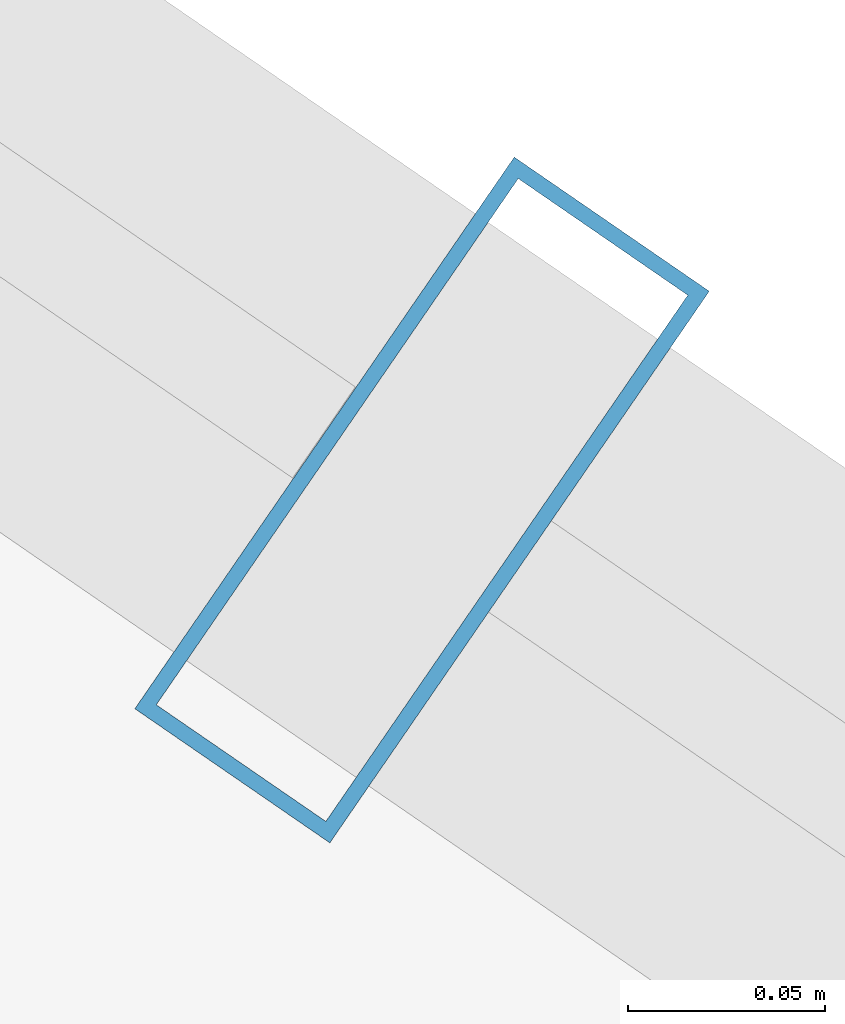
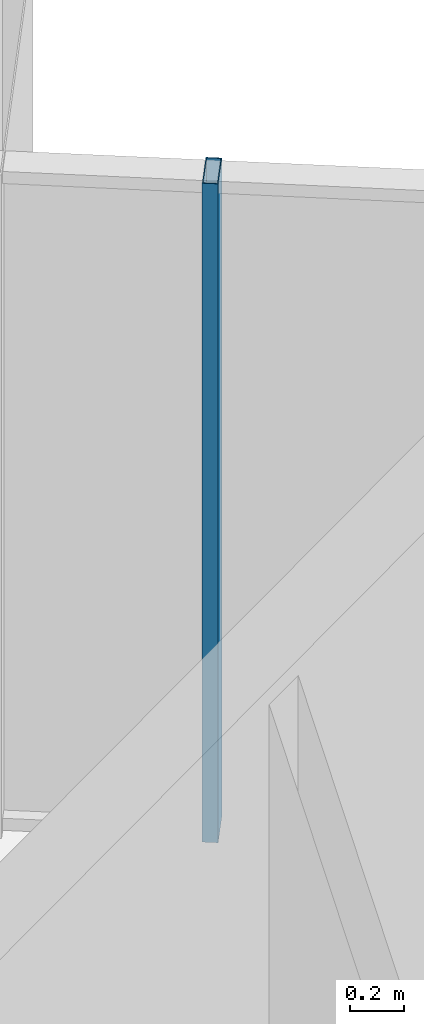
# One storey, part 24 of 30: 1 member, 1 element without a shape of its own.
"""IFC4 building model written with IfcOpenShell, lengths in metres."""

import ifcopenshell
import ifcopenshell.guid

model = None  # the IFC model being written
_history = None  # IfcOwnerHistory: only IFC2X3 demands one
_inside = {}  # id of a spatial element -> (the spatial element, [elements in it])
_under = {}  # id of a project, library or spatial element -> (it, [spatial elements below it])
_declared = {}  # id of a project -> (the project, [libraries it declares])
_typed = {}  # id of a type object -> (the type object, [elements of that type])
_made_of = {}  # id of a material, layer set ... -> (it, [elements and type objects made of it])


def new_model(schema):
    """Start an empty IFC model of exactly this schema.

    Asked for "IFC4X3", IfcOpenShell would pick the latest addendum, in which some entities
    have other attributes; the version numbers below select the first issue.
    IFC2X3 requires an IfcOwnerHistory on every rooted entity: one is made here for all.
    """
    global model, _history
    if schema == "IFC4X3":
        model = ifcopenshell.file(schema_version=(4, 3, 0, 0))
    else:
        model = ifcopenshell.file(schema=schema)
    _inside.clear()
    _under.clear()
    _declared.clear()
    _typed.clear()
    _made_of.clear()
    _history = None
    if model.schema == "IFC2X3":
        org = make("IfcOrganization", Name="unknown")
        user = make(
            "IfcPersonAndOrganization",
            ThePerson=make("IfcPerson", FamilyName="unknown"),
            TheOrganization=org,
        )
        app = make(
            "IfcApplication",
            ApplicationDeveloper=org,
            Version="unknown",
            ApplicationFullName="unknown",
            ApplicationIdentifier="unknown",
        )
        _history = make(
            "IfcOwnerHistory",
            OwningUser=user,
            OwningApplication=app,
            ChangeAction="ADDED",
            CreationDate=0,
        )
    return model


def make(cls, **values):
    """One entity of the class cls with the attributes given. An attribute that is None is left unset."""
    return model.create_entity(
        cls, **{name: value for name, value in values.items() if value is not None}
    )


def rooted(cls, **values):
    """An entity with a GlobalId (a new one), such as an element, a storey or a relation."""
    return make(cls, GlobalId=ifcopenshell.guid.new(), OwnerHistory=_history, **values)


def si_unit(unit_type, name, prefix=None):
    """IfcSIUnit, for example si_unit("LENGTHUNIT", "METRE", prefix="MILLI")."""
    return make("IfcSIUnit", UnitType=unit_type, Prefix=prefix, Name=name)


def assignment(units):
    """IfcUnitAssignment: the units of a project."""
    return None if units is None else make("IfcUnitAssignment", Units=units)


def point(xyz):
    """IfcCartesianPoint."""
    return None if xyz is None else make("IfcCartesianPoint", Coordinates=xyz)


def direction(xyz):
    """IfcDirection."""
    return None if xyz is None else make("IfcDirection", DirectionRatios=xyz)


def frame(location, z_axis=None, x_axis=None):
    """IfcAxis2Placement3D, a coordinate frame: its origin and axes. An axis left out is left unset."""
    return make(
        "IfcAxis2Placement3D",
        Location=point(location),
        Axis=direction(z_axis),
        RefDirection=direction(x_axis),
    )


def frame_2d(location, x_axis=None):
    """IfcAxis2Placement2D, a coordinate frame in the plane: its origin and x axis."""
    return make(
        "IfcAxis2Placement2D", Location=point(location), RefDirection=direction(x_axis)
    )


def origin():
    """The frame at (0, 0, 0) with its axes left unset."""
    return frame((0.0, 0.0, 0.0))


def origin_2d():
    """The frame at (0, 0) in the plane with its x axis left unset."""
    return frame_2d((0.0, 0.0))


def place(relative_to, where):
    """IfcLocalPlacement: puts the frame where relative to a parent placement (None: the world)."""
    return make(
        "IfcLocalPlacement", PlacementRelTo=relative_to, RelativePlacement=where
    )


def context(
    kind, dimensions, precision=None, world=None, true_north=None, identifier=None
):
    """IfcGeometricRepresentationContext, for example the 3D "Model" context."""
    return make(
        "IfcGeometricRepresentationContext",
        ContextIdentifier=identifier,
        ContextType=kind,
        CoordinateSpaceDimension=dimensions,
        Precision=precision,
        WorldCoordinateSystem=world,
        TrueNorth=true_north,
    )


def subcontext(parent, identifier, kind, view, scale=None):
    """IfcGeometricRepresentationSubContext, for example "Body" below "Model"."""
    return make(
        "IfcGeometricRepresentationSubContext",
        ContextIdentifier=identifier,
        ContextType=kind,
        ParentContext=parent,
        TargetScale=scale,
        TargetView=view,
    )


def project(units=None, contexts=None):
    """IfcProject with its units and contexts."""
    return rooted(
        "IfcProject",
        Name="project",
        RepresentationContexts=contexts,
        UnitsInContext=assignment(units),
    )


def spatial(cls, under=None, at=None, **own):
    """A site, building, storey or space (cls), placed at a placement, below another one or the project."""
    s = rooted(cls, ObjectPlacement=at, **own)
    if under is not None:
        _under.setdefault(under.id(), (under, []))[1].append(s)
    return s


def profile(cls, at=None, kind="AREA", **sizes):
    """A parametric profile (cls). Its sizes go by their IFC names, for example OverallWidth=200.0."""
    return make(cls, ProfileType=kind, Position=at, **sizes)


def hollow_rectangle(**sizes):
    """IfcRectangleHollowProfileDef."""
    return profile("IfcRectangleHollowProfileDef", **sizes)


def extrude(swept, where, along, depth):
    """IfcExtrudedAreaSolid: the profile swept, set in the frame where, extruded along a direction by depth."""
    return make(
        "IfcExtrudedAreaSolid",
        SweptArea=swept,
        Position=where,
        ExtrudedDirection=direction(along),
        Depth=depth,
    )


def shape(context_of_items, identifier, shape_type, items):
    """IfcShapeRepresentation: the items that make up one representation, for example the "Body"."""
    return make(
        "IfcShapeRepresentation",
        ContextOfItems=context_of_items,
        RepresentationIdentifier=identifier,
        RepresentationType=shape_type,
        Items=items,
    )


def source(mapping_origin, context_of_items, identifier, shape_type, items):
    """IfcRepresentationMap: a shape defined once, which mapped items show again and again."""
    return make(
        "IfcRepresentationMap",
        MappingOrigin=mapping_origin,
        MappedRepresentation=shape(context_of_items, identifier, shape_type, items),
    )


def transform(
    local_origin,
    x_axis=None,
    y_axis=None,
    z_axis=None,
    scale=None,
    scale2=None,
    scale3=None,
    uniform=True,
):
    """IfcCartesianTransformationOperator3D, or its non-uniform kind. x_axis, y_axis, z_axis: its Axis1, 2, 3."""
    if uniform:
        return make(
            "IfcCartesianTransformationOperator3D",
            Axis1=direction(x_axis),
            Axis2=direction(y_axis),
            LocalOrigin=point(local_origin),
            Scale=scale,
            Axis3=direction(z_axis),
        )
    return make(
        "IfcCartesianTransformationOperator3DnonUniform",
        Axis1=direction(x_axis),
        Axis2=direction(y_axis),
        LocalOrigin=point(local_origin),
        Scale=scale,
        Axis3=direction(z_axis),
        Scale2=scale2,
        Scale3=scale3,
    )


def mapped(mapping_source, mapping_target):
    """IfcMappedItem: shows the shape of a source again, moved by a transform."""
    return make(
        "IfcMappedItem", MappingSource=mapping_source, MappingTarget=mapping_target
    )


def material(Name=None, Category=None):
    """IfcMaterial."""
    return make("IfcMaterial", Name=Name, Category=Category)


def layer(
    of_material, thickness, ventilated=None, Name=None, Category=None, Priority=None
):
    """IfcMaterialLayer: one layer of a wall or slab, of a material (None: an air gap)."""
    return make(
        "IfcMaterialLayer",
        Material=of_material,
        LayerThickness=thickness,
        IsVentilated=ventilated,
        Name=Name,
        Category=Category,
        Priority=Priority,
    )


def layer_set(layers, Name=None):
    """IfcMaterialLayerSet."""
    return make("IfcMaterialLayerSet", MaterialLayers=layers, LayerSetName=Name)


def material_profile(
    of_material, cross_section, Name=None, Category=None, Priority=None
):
    """IfcMaterialProfile: a cross section and its material."""
    return make(
        "IfcMaterialProfile",
        Name=Name,
        Material=of_material,
        Profile=cross_section,
        Priority=Priority,
        Category=Category,
    )


def profile_set(profiles, Name=None, composite=None):
    """IfcMaterialProfileSet."""
    return make(
        "IfcMaterialProfileSet",
        Name=Name,
        MaterialProfiles=profiles,
        CompositeProfile=composite,
    )


def made_of(thing, what):
    """Note that an element or type object is made of a material, layer set ...; save() writes the relation."""
    if what is not None:
        _made_of.setdefault(what.id(), (what, []))[1].append(thing)
    return thing


def type_object(cls, material=None, **own):
    """A type object (cls), such as IfcWallType, which elements share."""
    return made_of(rooted(cls, **own), material)


def element(
    cls,
    number,
    at=None,
    inside=None,
    cuts=None,
    type_object=None,
    material=None,
    context=None,
    identifier="Body",
    shape_type=None,
    held_by="IfcProductDefinitionShape",
    body=None,
    shapes=None,
    **own,
):
    """One element of the class cls, such as IfcWall. Its Tag is "e" and its number.

    at: its placement. inside: the storey or other place that contains it. cuts: it is an
    opening in that element (IfcRelVoidsElement). A single representation is given by context,
    identifier, shape_type and body (its items); several are given by shapes. held_by: the class
    of the entity that holds the representations. save() writes the other relations.
    """
    e = rooted(cls, Tag="e%d" % number, ObjectPlacement=at, **own)
    if body is not None:
        shapes = [shape(context, identifier, shape_type, body)]
    if shapes is not None:
        e.Representation = make(held_by, Representations=shapes)
    if inside is not None:
        _inside.setdefault(inside.id(), (inside, []))[1].append(e)
    if cuts is not None:
        rooted(
            "IfcRelVoidsElement", RelatingBuildingElement=cuts, RelatedOpeningElement=e
        )
    if type_object is not None:
        _typed.setdefault(type_object.id(), (type_object, []))[1].append(e)
    return made_of(e, material)


def aggregate(whole, parts):
    """IfcRelAggregates: a whole, such as a stair, and the parts it consists of."""
    return rooted("IfcRelAggregates", RelatingObject=whole, RelatedObjects=parts)


def save(model, path):
    """Write the relations noted so far, then the file.

    IfcRelAggregates (storeys below a building ...), IfcRelContainedInSpatialStructure (elements
    in a storey), IfcRelDefinesByType, IfcRelAssociatesMaterial and IfcRelDeclares: one each for
    every whole, place, type object, material and project.
    """
    for whole, parts in _under.values():
        aggregate(whole, parts)
    for where, things in _inside.values():
        rooted(
            "IfcRelContainedInSpatialStructure",
            RelatedElements=things,
            RelatingStructure=where,
        )
    for kind, things in _typed.values():
        rooted("IfcRelDefinesByType", RelatedObjects=things, RelatingType=kind)
    for what, things in _made_of.values():
        rooted("IfcRelAssociatesMaterial", RelatedObjects=things, RelatingMaterial=what)
    for by, libraries in _declared.values():
        rooted("IfcRelDeclares", RelatingContext=by, RelatedDefinitions=libraries)
    model.write(path)


model = new_model("IFC4")

# Units and contexts
model_context = context("Model", 3, precision=1e-05, world=origin(), true_north=direction((0.0, 1.0)))
body_context = subcontext(model_context, "Body", "Model", "MODEL_VIEW")
ifc_project = project(units=[si_unit("LENGTHUNIT", "METRE"), si_unit("AREAUNIT", "SQUARE_METRE"), si_unit("VOLUMEUNIT", "CUBIC_METRE"), si_unit("PLANEANGLEUNIT", "RADIAN"), si_unit("MASSUNIT", "GRAM", prefix="KILO")], contexts=[model_context])

# Site, building, storey
site_placement = place(None, origin())
site = spatial("IfcSite", under=ifc_project, at=site_placement, CompositionType="ELEMENT")
building_placement = place(site_placement, origin())
building = spatial("IfcBuilding", under=site, at=building_placement, Name="Veraguas Prism Commons", CompositionType="ELEMENT")
storey_placement = place(building_placement, frame((0.0, 0.0, 113.25)))
storey = spatial("IfcBuildingStorey", under=building, at=storey_placement, Name="L31", CompositionType="ELEMENT", Elevation=113.25)

# Curtain wall, member
ifc_material = material(Name="Anodised aluminium EN AW-6063 T6", Category="aluminium")
ifc_layer = layer(ifc_material, 0.169921875, Name="Unitised Flush Curtain Wall Zone 2", Category="aluminium")
ifc_layer_set = layer_set([ifc_layer], Name="Anodised aluminium EN AW-6063 T6")
curtain_wall_type = type_object("IfcCurtainWallType", Name="Unitised Flush Curtain Wall Zone 2", PredefinedType="NOTDEFINED", material=ifc_layer_set)
curtain_wall_placement = place(storey_placement, origin())
curtain_wall = element("IfcCurtainWall", 1, at=curtain_wall_placement, inside=storey, type_object=curtain_wall_type, Name="Tower Facade Curtain Wall L31-F1", PredefinedType="NOTDEFINED")
ifc_material_profile = material_profile(ifc_material, hollow_rectangle(XDim=0.06005859375, YDim=0.169921875, WallThickness=0.00390625, at=origin_2d()), Name="AL60X170X4")
ifc_profile_set = profile_set([ifc_material_profile], Name="Anodised aluminium EN AW-6063 T6")
member_type = type_object("IfcMemberType", Name="Curtain Wall Mullion Lower AL 60x170x4", PredefinedType="MULLION", material=ifc_profile_set)
shared_shape = source(origin(), body_context, "Body", "SweptSolid", [
    extrude(hollow_rectangle(XDim=0.06005859375, YDim=0.169921875, WallThickness=0.00390625, at=origin_2d()), origin(), (0.0, 0.0, 1.0), 3.0),
])
member_placement = place(storey_placement, frame((38.420654296875, 37.36328125, 0.0), z_axis=(0.0, 0.0, 1.0), x_axis=(-0.823930403472, 0.566691000664, 0.0)))
member = element("IfcMember", 2, at=member_placement, type_object=member_type, Name="CW-Z2 Mullion 2", PredefinedType="MULLION", context=body_context, shape_type="MappedRepresentation", body=[
    mapped(shared_shape, transform((0.0, 0.0, 0.0), scale=1.0)),
])
aggregate(curtain_wall, [member])

save(model, "model.ifc")
